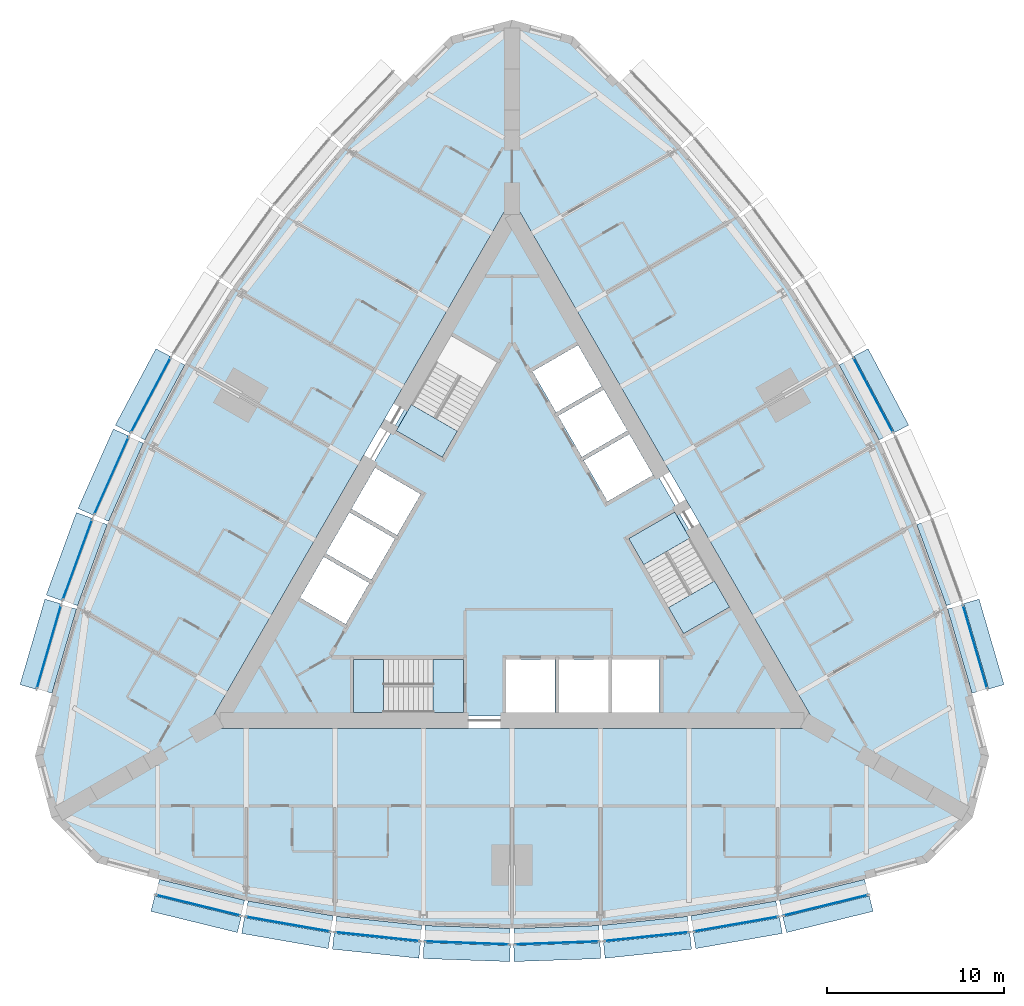
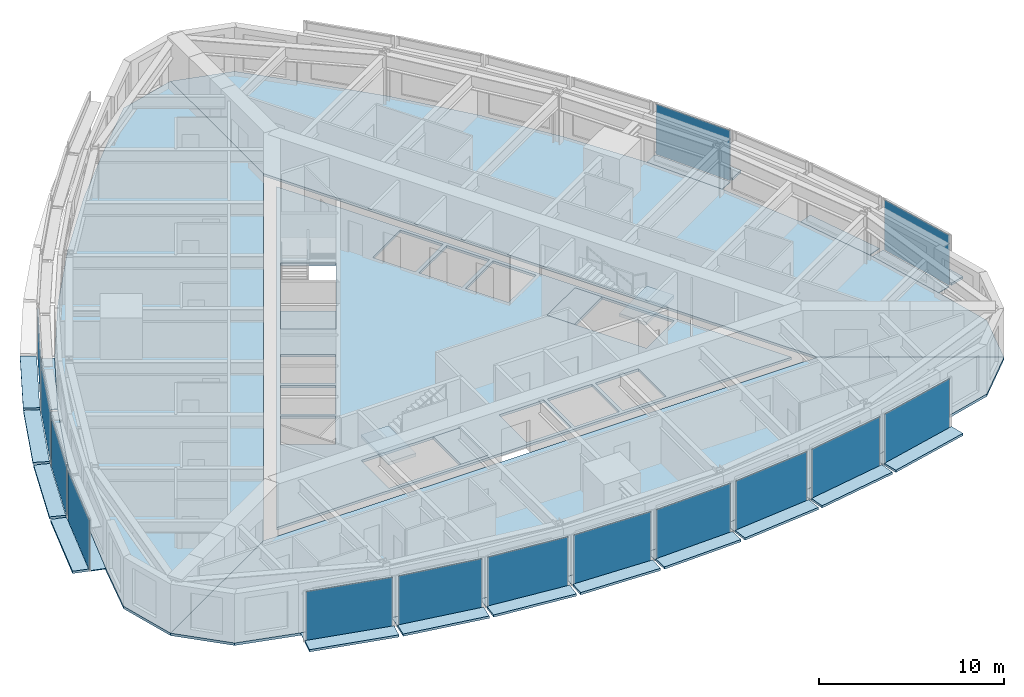
# One storey, part 6 of 14: 43 plates, 9 slabs, 17 elements without a shape of their own.
"""IFC4 building model written with IfcOpenShell, lengths in metres."""

from ifc_helpers import new_model, si_unit, direction, frame, origin, origin_2d, place, context, subcontext, project, spatial, polyline, rectangle, outline, extrude, material, layer, layer_set, type_object, element, aggregate, save


model = new_model("IFC4")

# Units and contexts
model_context = context("Model", 3, precision=1e-05, world=origin(), true_north=direction((0.0, 1.0)))
body_context = subcontext(model_context, "Body", "Model", "MODEL_VIEW")
ifc_project = project(units=[si_unit("LENGTHUNIT", "METRE"), si_unit("AREAUNIT", "SQUARE_METRE"), si_unit("VOLUMEUNIT", "CUBIC_METRE"), si_unit("PLANEANGLEUNIT", "RADIAN"), si_unit("MASSUNIT", "GRAM", prefix="KILO")], contexts=[model_context])

# Site, building, storey
site_placement = place(None, origin())
site = spatial("IfcSite", under=ifc_project, at=site_placement, CompositionType="ELEMENT")
building_placement = place(site_placement, origin())
building = spatial("IfcBuilding", under=site, at=building_placement, Name="Trikona Tower", CompositionType="ELEMENT")
storey_placement = place(building_placement, frame((0.0, 0.0, 179.300048828125)))
storey = spatial("IfcBuildingStorey", under=building, at=storey_placement, Name="L48", CompositionType="ELEMENT", Elevation=179.300048828125)

# Plates
ifc_material_1 = material(Name="Aluminium bar grating", Category="aluminium")
ifc_layer_1 = layer(ifc_material_1, 0.050048828125)
ifc_layer_set_1 = layer_set([ifc_layer_1], Name="Cavity catwalk grating")
plate_type_1 = type_object("IfcPlateType", Name="Cavity catwalk grating", PredefinedType="USERDEFINED", material=ifc_layer_set_1)
plate_1_placement = place(storey_placement, frame((-17.598876953125, -19.49072265625, -0.05029296875), z_axis=(0.0, 0.0, 1.0), x_axis=(0.971274411564, -0.237962218516, 0.0)))
element("IfcPlate", 1, at=plate_1_placement, inside=storey, type_object=plate_type_1, Name="Cavity catwalk L48-00", ObjectType="CATWALK GRATING", PredefinedType="USERDEFINED", context=body_context, shape_type="SweptSolid", body=[
    extrude(rectangle(XDim=4.947998046875, YDim=0.830078125, at=origin_2d()), origin(), (0.0, 0.0, 1.0), 0.050048828125),
])
plate_2_placement = place(storey_placement, frame((-12.571533203125, -20.54638671875, -0.05029296875), z_axis=(0.0, 0.0, 1.0), x_axis=(0.985030604067, -0.172379549401, 0.0)))
element("IfcPlate", 2, at=plate_2_placement, inside=storey, type_object=plate_type_1, Name="Cavity catwalk L48-01", ObjectType="CATWALK GRATING", PredefinedType="USERDEFINED", context=body_context, shape_type="SweptSolid", body=[
    extrude(rectangle(XDim=4.8759765625, YDim=0.830078125, at=origin_2d()), origin(), (0.0, 0.0, 1.0), 0.050048828125),
])
plate_3_placement = place(storey_placement, frame((-7.543212890625, -21.25048828125, -0.05029296875), z_axis=(0.0, 0.0, 1.0), x_axis=(0.994532653854, -0.104426052392, 0.0)))
element("IfcPlate", 3, at=plate_3_placement, inside=storey, type_object=plate_type_1, Name="Cavity catwalk L48-02", ObjectType="CATWALK GRATING", PredefinedType="USERDEFINED", context=body_context, shape_type="SweptSolid", body=[
    extrude(rectangle(XDim=4.827392578125, YDim=0.830078125, at=origin_2d()), origin(), (0.0, 0.0, 1.0), 0.050048828125),
])
for number, where, z_axis, x_axis, name in (
    (4, (-2.514404296875, -21.602294921875, -0.05029296875), (0.0, 0.0, 1.0), (0.999388082937, -0.034977988567, 0.0), "Cavity catwalk L48-03"),
    (5, (2.514404296875, -21.602294921875, -0.05029296875), (0.0, 0.0, 1.0), (0.999388082937, 0.034977988567, 0.0), "Cavity catwalk L48-04"),
):
    element("IfcPlate", number, at=place(storey_placement, frame(where, z_axis=z_axis, x_axis=x_axis)), inside=storey, type_object=plate_type_1, Name=name, ObjectType="CATWALK GRATING", PredefinedType="USERDEFINED", context=body_context, shape_type="SweptSolid", body=[
        extrude(rectangle(XDim=4.802978515625, YDim=0.830078125, at=origin_2d()), origin(), (0.0, 0.0, 1.0), 0.050048828125),
    ])
plate_4_placement = place(storey_placement, frame((7.543212890625, -21.25048828125, -0.05029296875), z_axis=(0.0, 0.0, 1.0), x_axis=(0.994532653854, 0.104426052392, 0.0)))
element("IfcPlate", 6, at=plate_4_placement, inside=storey, type_object=plate_type_1, Name="Cavity catwalk L48-05", ObjectType="CATWALK GRATING", PredefinedType="USERDEFINED", context=body_context, shape_type="SweptSolid", body=[
    extrude(rectangle(XDim=4.827392578125, YDim=0.830078125, at=origin_2d()), origin(), (0.0, 0.0, 1.0), 0.050048828125),
])
plate_5_placement = place(storey_placement, frame((12.571533203125, -20.54638671875, -0.05029296875), z_axis=(0.0, 0.0, 1.0), x_axis=(0.985030604067, 0.172379549401, 0.0)))
element("IfcPlate", 7, at=plate_5_placement, inside=storey, type_object=plate_type_1, Name="Cavity catwalk L48-06", ObjectType="CATWALK GRATING", PredefinedType="USERDEFINED", context=body_context, shape_type="SweptSolid", body=[
    extrude(rectangle(XDim=4.8759765625, YDim=0.830078125, at=origin_2d()), origin(), (0.0, 0.0, 1.0), 0.050048828125),
])
plate_6_placement = place(storey_placement, frame((17.598876953125, -19.49072265625, -0.05029296875), z_axis=(0.0, 0.0, 1.0), x_axis=(0.971274411564, 0.237962218516, 0.0)))
element("IfcPlate", 8, at=plate_6_placement, inside=storey, type_object=plate_type_1, Name="Cavity catwalk L48-07", ObjectType="CATWALK GRATING", PredefinedType="USERDEFINED", context=body_context, shape_type="SweptSolid", body=[
    extrude(rectangle(XDim=4.947998046875, YDim=0.830078125, at=origin_2d()), origin(), (0.0, 0.0, 1.0), 0.050048828125),
])
plate_7_placement = place(storey_placement, frame((25.678955078125, -5.49560546875, -0.05029296875), z_axis=(0.0, 0.0, 1.0), x_axis=(-0.279554203664, 0.960129911634, 0.0)))
element("IfcPlate", 9, at=plate_7_placement, inside=storey, type_object=plate_type_1, Name="Cavity catwalk L48-12", ObjectType="CATWALK GRATING", PredefinedType="USERDEFINED", context=body_context, shape_type="SweptSolid", body=[
    extrude(rectangle(XDim=4.94775390625, YDim=0.830078125, at=origin_2d()), origin(), (0.0, 0.0, 1.0), 0.050048828125),
])
plate_8_placement = place(storey_placement, frame((24.07958984375, -0.614013671875, -0.05029296875), z_axis=(0.0, 0.0, 1.0), x_axis=(-0.343220397324, 0.939254895575, 0.0)))
element("IfcPlate", 10, at=plate_8_placement, inside=storey, type_object=plate_type_1, Name="Cavity catwalk L48-13", ObjectType="CATWALK GRATING", PredefinedType="USERDEFINED", context=body_context, shape_type="SweptSolid", body=[
    extrude(rectangle(XDim=4.8759765625, YDim=0.830078125, at=origin_2d()), origin(), (0.0, 0.0, 1.0), 0.050048828125),
])
for number, where, z_axis, x_axis, name in (
    (11, (19.965576171875, 8.62353515625, -0.05029296875), (0.0, 0.0, 1.0), (-0.469397591494, 0.882986920118, 0.0), "Cavity catwalk L48-15"),
    (12, (-19.965576171875, 8.62353515625, -0.05029296875), (0.0, 0.0, 1.0), (-0.469397591494, -0.882986920118, 0.0), "Cavity catwalk L48-28"),
):
    element("IfcPlate", number, at=place(storey_placement, frame(where, z_axis=z_axis, x_axis=x_axis)), inside=storey, type_object=plate_type_1, Name=name, ObjectType="CATWALK GRATING", PredefinedType="USERDEFINED", context=body_context, shape_type="SweptSolid", body=[
        extrude(rectangle(XDim=4.802978515625, YDim=0.830078125, at=origin_2d()), origin(), (0.0, 0.0, 1.0), 0.050048828125),
    ])
plate_9_placement = place(storey_placement, frame((-22.175048828125, 4.092529296875, -0.05029296875), z_axis=(0.0, 0.0, 1.0), x_axis=(-0.406843467615, -0.913497888809, 0.0)))
element("IfcPlate", 13, at=plate_9_placement, inside=storey, type_object=plate_type_1, Name="Cavity catwalk L48-29", ObjectType="CATWALK GRATING", PredefinedType="USERDEFINED", context=body_context, shape_type="SweptSolid", body=[
    extrude(rectangle(XDim=4.827392578125, YDim=0.830078125, at=origin_2d()), origin(), (0.0, 0.0, 1.0), 0.050048828125),
])
plate_10_placement = place(storey_placement, frame((-24.07958984375, -0.614013671875, -0.05029296875), z_axis=(0.0, 0.0, 1.0), x_axis=(-0.343220397324, -0.939254895575, 0.0)))
element("IfcPlate", 14, at=plate_10_placement, inside=storey, type_object=plate_type_1, Name="Cavity catwalk L48-30", ObjectType="CATWALK GRATING", PredefinedType="USERDEFINED", context=body_context, shape_type="SweptSolid", body=[
    extrude(rectangle(XDim=4.8759765625, YDim=0.830078125, at=origin_2d()), origin(), (0.0, 0.0, 1.0), 0.050048828125),
])
plate_11_placement = place(storey_placement, frame((-25.678955078125, -5.49560546875, -0.05029296875), z_axis=(0.0, 0.0, 1.0), x_axis=(-0.279554203664, -0.960129911634, 0.0)))
element("IfcPlate", 15, at=plate_11_placement, inside=storey, type_object=plate_type_1, Name="Cavity catwalk L48-31", ObjectType="CATWALK GRATING", PredefinedType="USERDEFINED", context=body_context, shape_type="SweptSolid", body=[
    extrude(rectangle(XDim=4.94775390625, YDim=0.830078125, at=origin_2d()), origin(), (0.0, 0.0, 1.0), 0.050048828125),
])

# Slabs
ifc_material_2 = material(Name="Concrete f'c 5000 psi lightweight on composite steel deck", Category="concrete")
ifc_layer_2 = layer(ifc_material_2, 0.1650390625)
ifc_layer_set_2 = layer_set([ifc_layer_2], Name="Composite floor slab 165")
slab_type_1 = type_object("IfcSlabType", Name="Composite floor slab 165", PredefinedType="FLOOR", material=ifc_layer_set_2)
slab_1_placement = place(storey_placement, frame((0.0, 0.0, -0.1650390625)))
element("IfcSlab", 16, at=slab_1_placement, inside=storey, type_object=slab_type_1, Name="Floor slab L48 core", PredefinedType="FLOOR", context=body_context, shape_type="SweptSolid", body=[
    extrude(outline(polyline([(-16.06689453125, -9.2763671875), (16.06689453125, -9.2763671875), (0.0, 18.552490234375), (-16.06689453125, -9.2763671875)]), holes=[polyline([(12.285400390625, -3.126220703125), (9.185302734375, 2.2431640625), (6.587158203125, 0.7431640625), (9.687255859375, -4.626220703125), (12.285400390625, -3.126220703125)]), polyline([(8.340087890625, -9.06640625), (8.340087890625, -6.086181640625), (5.659912109375, -6.086181640625), (5.659912109375, -9.06640625), (8.340087890625, -9.06640625)]), polyline([(5.390869140625, 2.835205078125), (7.9716796875, 4.3251953125), (6.631591796875, 6.646240234375), (4.05078125, 5.15625), (5.390869140625, 2.835205078125)]), polyline([(2.600830078125, 7.667724609375), (3.94091796875, 5.3466796875), (6.521484375, 6.8369140625), (5.181640625, 9.15771484375), (2.600830078125, 7.667724609375)]), polyline([(5.43994140625, -6.086181640625), (2.659912109375, -6.086181640625), (2.659912109375, -9.06640625), (5.43994140625, -9.06640625), (5.43994140625, -6.086181640625)]), polyline([(3.731689453125, 11.669189453125), (1.15087890625, 10.17919921875), (2.490966796875, 7.858154296875), (5.071533203125, 9.34814453125), (3.731689453125, 11.669189453125)]), polyline([(-0.340087890625, -6.086181640625), (-0.340087890625, -9.06640625), (2.43994140625, -9.06640625), (2.43994140625, -6.086181640625), (-0.340087890625, -6.086181640625)]), polyline([(-3.435302734375, 12.202392578125), (-6.535400390625, 6.8330078125), (-3.937255859375, 5.3330078125), (-0.837158203125, 10.702392578125), (-3.435302734375, 12.202392578125)]), polyline([(-8.949951171875, -9.076416015625), (-2.75, -9.076416015625), (-2.75, -6.076416015625), (-8.949951171875, -6.076416015625), (-8.949951171875, -9.076416015625)]), polyline([(-5.15087890625, 3.2509765625), (-7.731689453125, 4.740966796875), (-9.071533203125, 2.419921875), (-6.490966796875, 0.929931640625), (-5.15087890625, 3.2509765625)]), polyline([(-7.94091796875, -1.581298828125), (-6.600830078125, 0.739501953125), (-9.181640625, 2.2294921875), (-10.521484375, -0.09130859375), (-7.94091796875, -1.581298828125)]), polyline([(-11.9716796875, -2.602783203125), (-9.390869140625, -4.093017578125), (-8.05078125, -1.77197265625), (-10.631591796875, -0.281982421875), (-11.9716796875, -2.602783203125)])]), origin(), (0.0, 0.0, 1.0), 0.1650390625),
])
slab_2_placement = place(storey_placement, frame((0.0, 0.0, -0.1650390625)))
element("IfcSlab", 17, at=slab_2_placement, inside=storey, type_object=slab_type_1, Name="Floor slab L48 south", PredefinedType="FLOOR", context=body_context, shape_type="SweptSolid", body=[
    extrude(outline(polyline([(23.464111328125, -17.547119140625), (26.0, -15.010986328125), (17.279296875, -9.976318359375), (-17.279296875, -9.976318359375), (-26.0, -15.010986328125), (-23.464111328125, -17.547119140625), (-20.0, -18.47509765625), (-15.0, -19.7001953125), (-10.0, -20.5751953125), (-5.0, -21.10009765625), (0.0, -21.275146484375), (5.0, -21.10009765625), (10.0, -20.5751953125), (15.0, -19.7001953125), (20.0, -18.47509765625), (23.464111328125, -17.547119140625)])), origin(), (0.0, 0.0, 1.0), 0.1650390625),
])
slab_3_placement = place(storey_placement, frame((0.0, 0.0, -0.1650390625)))
element("IfcSlab", 18, at=slab_3_placement, inside=storey, type_object=slab_type_1, Name="Floor slab L48 north-east", PredefinedType="FLOOR", context=body_context, shape_type="SweptSolid", body=[
    extrude(outline(polyline([(3.464111328125, 29.093994140625), (0.0, 30.022216796875), (0.0, 19.95263671875), (17.279296875, -9.976318359375), (26.0, -15.010986328125), (26.92822265625, -11.547119140625), (26.0, -8.0830078125), (24.560791015625, -3.140380859375), (22.818603515625, 1.62744140625), (20.773193359375, 6.219970703125), (18.4248046875, 10.6376953125), (15.773193359375, 14.880126953125), (12.818603515625, 18.947998046875), (9.560791015625, 22.840576171875), (6.0, 26.55810546875), (3.464111328125, 29.093994140625)])), origin(), (0.0, 0.0, 1.0), 0.1650390625),
])
slab_4_placement = place(storey_placement, frame((0.0, 0.0, -0.1650390625)))
element("IfcSlab", 19, at=slab_4_placement, inside=storey, type_object=slab_type_1, Name="Floor slab L48 north-west", PredefinedType="FLOOR", context=body_context, shape_type="SweptSolid", body=[
    extrude(outline(polyline([(0.0, 19.95263671875), (0.0, 30.022216796875), (-3.464111328125, 29.093994140625), (-6.0, 26.55810546875), (-9.560791015625, 22.840576171875), (-12.818603515625, 18.947998046875), (-15.773193359375, 14.880126953125), (-18.4248046875, 10.6376953125), (-20.773193359375, 6.219970703125), (-22.818603515625, 1.62744140625), (-24.560791015625, -3.140380859375), (-26.0, -8.0830078125), (-26.92822265625, -11.547119140625), (-26.0, -15.010986328125), (-17.279296875, -9.976318359375), (0.0, 19.95263671875)])), origin(), (0.0, 0.0, 1.0), 0.1650390625),
])

# Curtain wall, plate
ifc_material_3 = material(Name="Aluminium curtain wall system", Category="aluminium")
curtain_wall_type = type_object("IfcCurtainWallType", Name="Curtain wall DS2", PredefinedType="NOTDEFINED", material=ifc_material_3)
curtain_wall_1_placement = place(storey_placement, origin())
curtain_wall_1 = element("IfcCurtainWall", 20, at=curtain_wall_1_placement, inside=storey, type_object=curtain_wall_type, Name="Curtain wall DS2 L48", PredefinedType="NOTDEFINED")
ifc_material_4 = material(Name="Laminated clear glass", Category="glass")
ifc_layer_3 = layer(ifc_material_4, 0.028076171875)
ifc_layer_set_3 = layer_set([ifc_layer_3], Name="Glass panel DS2")
plate_type_2 = type_object("IfcPlateType", Name="Glass panel DS2", PredefinedType="CURTAIN_PANEL", material=ifc_layer_set_3)
plate_12_placement = place(storey_placement, frame((-17.714111328125, -19.9619140625, 0.0), z_axis=(0.0, 0.0, 1.0), x_axis=(0.971272455026, -0.237970204243, 0.0)))
plate_12 = element("IfcPlate", 21, at=plate_12_placement, type_object=plate_type_2, Name="CW-DS2 panel 1.1", PredefinedType="CURTAIN_PANEL", context=body_context, shape_type="SweptSolid", body=[
    extrude(rectangle(XDim=4.867919921875, YDim=0.028076171875, at=origin_2d()), origin(), (0.0, 0.0, 1.0), 3.320068359375),
])
aggregate(curtain_wall_1, [plate_12])

curtain_wall_2_placement = place(storey_placement, origin())
curtain_wall_2 = element("IfcCurtainWall", 22, at=curtain_wall_2_placement, inside=storey, type_object=curtain_wall_type, Name="Curtain wall DS2 L48", PredefinedType="NOTDEFINED")
plate_13_placement = place(storey_placement, frame((-12.655029296875, -21.024169921875, 0.0), z_axis=(0.0, 0.0, 1.0), x_axis=(0.985030981074, -0.17237739505, 0.0)))
plate_13 = element("IfcPlate", 23, at=plate_13_placement, type_object=plate_type_2, Name="CW-DS2 panel 1.1", PredefinedType="CURTAIN_PANEL", context=body_context, shape_type="SweptSolid", body=[
    extrude(rectangle(XDim=4.7958984375, YDim=0.028076171875, at=origin_2d()), origin(), (0.0, 0.0, 1.0), 3.320068359375),
])
aggregate(curtain_wall_2, [plate_13])

curtain_wall_3_placement = place(storey_placement, origin())
curtain_wall_3 = element("IfcCurtainWall", 24, at=curtain_wall_3_placement, inside=storey, type_object=curtain_wall_type, Name="Curtain wall DS2 L48", PredefinedType="NOTDEFINED")
plate_14_placement = place(storey_placement, frame((-7.593994140625, -21.732666015625, 0.0), z_axis=(0.0, 0.0, 1.0), x_axis=(0.994531883654, -0.104433387357, 0.0)))
plate_14 = element("IfcPlate", 25, at=plate_14_placement, type_object=plate_type_2, Name="CW-DS2 panel 1.1", PredefinedType="CURTAIN_PANEL", context=body_context, shape_type="SweptSolid", body=[
    extrude(rectangle(XDim=4.747314453125, YDim=0.028076171875, at=origin_2d()), origin(), (0.0, 0.0, 1.0), 3.320068359375),
])
aggregate(curtain_wall_3, [plate_14])

curtain_wall_4_placement = place(storey_placement, origin())
curtain_wall_4 = element("IfcCurtainWall", 26, at=curtain_wall_4_placement, inside=storey, type_object=curtain_wall_type, Name="Curtain wall DS2 L48", PredefinedType="NOTDEFINED")
plate_15_placement = place(storey_placement, frame((-2.531494140625, -22.087158203125, 0.0), z_axis=(0.0, 0.0, 1.0), x_axis=(0.99938737114, -0.034998320052, 0.0)))
plate_15 = element("IfcPlate", 27, at=plate_15_placement, type_object=plate_type_2, Name="CW-DS2 panel 1.1", PredefinedType="CURTAIN_PANEL", context=body_context, shape_type="SweptSolid", body=[
    extrude(rectangle(XDim=4.72314453125, YDim=0.028076171875, at=origin_2d()), origin(), (0.0, 0.0, 1.0), 3.320068359375),
])
aggregate(curtain_wall_4, [plate_15])

curtain_wall_5_placement = place(storey_placement, origin())
curtain_wall_5 = element("IfcCurtainWall", 28, at=curtain_wall_5_placement, inside=storey, type_object=curtain_wall_type, Name="Curtain wall DS2 L48", PredefinedType="NOTDEFINED")
plate_16_placement = place(storey_placement, frame((2.531494140625, -22.087158203125, 0.0), z_axis=(0.0, 0.0, 1.0), x_axis=(0.99938737114, 0.034998320052, 0.0)))
plate_16 = element("IfcPlate", 29, at=plate_16_placement, type_object=plate_type_2, Name="CW-DS2 panel 1.1", PredefinedType="CURTAIN_PANEL", context=body_context, shape_type="SweptSolid", body=[
    extrude(rectangle(XDim=4.72314453125, YDim=0.028076171875, at=origin_2d()), origin(), (0.0, 0.0, 1.0), 3.320068359375),
])
aggregate(curtain_wall_5, [plate_16])

curtain_wall_6_placement = place(storey_placement, origin())
curtain_wall_6 = element("IfcCurtainWall", 30, at=curtain_wall_6_placement, inside=storey, type_object=curtain_wall_type, Name="Curtain wall DS2 L48", PredefinedType="NOTDEFINED")
plate_17_placement = place(storey_placement, frame((7.593994140625, -21.732666015625, 0.0), z_axis=(0.0, 0.0, 1.0), x_axis=(0.994531883654, 0.104433387357, 0.0)))
plate_17 = element("IfcPlate", 31, at=plate_17_placement, type_object=plate_type_2, Name="CW-DS2 panel 1.1", PredefinedType="CURTAIN_PANEL", context=body_context, shape_type="SweptSolid", body=[
    extrude(rectangle(XDim=4.747314453125, YDim=0.028076171875, at=origin_2d()), origin(), (0.0, 0.0, 1.0), 3.320068359375),
])
aggregate(curtain_wall_6, [plate_17])

curtain_wall_7_placement = place(storey_placement, origin())
curtain_wall_7 = element("IfcCurtainWall", 32, at=curtain_wall_7_placement, inside=storey, type_object=curtain_wall_type, Name="Curtain wall DS2 L48", PredefinedType="NOTDEFINED")
plate_18_placement = place(storey_placement, frame((12.655029296875, -21.024169921875, 0.0), z_axis=(0.0, 0.0, 1.0), x_axis=(0.985030981074, 0.17237739505, 0.0)))
plate_18 = element("IfcPlate", 33, at=plate_18_placement, type_object=plate_type_2, Name="CW-DS2 panel 1.1", PredefinedType="CURTAIN_PANEL", context=body_context, shape_type="SweptSolid", body=[
    extrude(rectangle(XDim=4.7958984375, YDim=0.028076171875, at=origin_2d()), origin(), (0.0, 0.0, 1.0), 3.320068359375),
])
aggregate(curtain_wall_7, [plate_18])

curtain_wall_8_placement = place(storey_placement, origin())
curtain_wall_8 = element("IfcCurtainWall", 34, at=curtain_wall_8_placement, inside=storey, type_object=curtain_wall_type, Name="Curtain wall DS2 L48", PredefinedType="NOTDEFINED")
plate_19_placement = place(storey_placement, frame((17.714111328125, -19.9619140625, 0.0), z_axis=(0.0, 0.0, 1.0), x_axis=(0.971272455026, 0.237970204243, 0.0)))
plate_19 = element("IfcPlate", 35, at=plate_19_placement, type_object=plate_type_2, Name="CW-DS2 panel 1.1", PredefinedType="CURTAIN_PANEL", context=body_context, shape_type="SweptSolid", body=[
    extrude(rectangle(XDim=4.867919921875, YDim=0.028076171875, at=origin_2d()), origin(), (0.0, 0.0, 1.0), 3.320068359375),
])
aggregate(curtain_wall_8, [plate_19])

curtain_wall_9_placement = place(storey_placement, origin())
curtain_wall_9 = element("IfcCurtainWall", 36, at=curtain_wall_9_placement, inside=storey, type_object=curtain_wall_type, Name="Curtain wall DS2 L48", PredefinedType="NOTDEFINED")
plate_20_placement = place(storey_placement, frame((26.14453125, -5.360107421875, 0.0), z_axis=(0.0, 0.0, 1.0), x_axis=(-0.279543247757, 0.96013310152, 0.0)))
plate_20 = element("IfcPlate", 37, at=plate_20_placement, type_object=plate_type_2, Name="CW-DS2 panel 1.1", PredefinedType="CURTAIN_PANEL", context=body_context, shape_type="SweptSolid", body=[
    extrude(rectangle(XDim=4.867919921875, YDim=0.028076171875, at=origin_2d()), origin(), (0.0, 0.0, 1.0), 3.320068359375),
])
aggregate(curtain_wall_9, [plate_20])

curtain_wall_10_placement = place(storey_placement, origin())
curtain_wall_10 = element("IfcCurtainWall", 38, at=curtain_wall_10_placement, inside=storey, type_object=curtain_wall_type, Name="Curtain wall DS2 L48", PredefinedType="NOTDEFINED")
plate_21_placement = place(storey_placement, frame((20.393798828125, 8.851318359375, 0.0), z_axis=(0.0, 0.0, 1.0), x_axis=(-0.469380308937, 0.882996107343, 0.0)))
plate_21 = element("IfcPlate", 39, at=plate_21_placement, type_object=plate_type_2, Name="CW-DS2 panel 1.1", PredefinedType="CURTAIN_PANEL", context=body_context, shape_type="SweptSolid", body=[
    extrude(rectangle(XDim=4.72314453125, YDim=0.028076171875, at=origin_2d()), origin(), (0.0, 0.0, 1.0), 3.320068359375),
])
aggregate(curtain_wall_10, [plate_21])

curtain_wall_11_placement = place(storey_placement, origin())
curtain_wall_11 = element("IfcCurtainWall", 40, at=curtain_wall_11_placement, inside=storey, type_object=curtain_wall_type, Name="Curtain wall DS2 L48", PredefinedType="NOTDEFINED")
plate_22_placement = place(storey_placement, frame((-20.393798828125, 8.851318359375, 0.0), z_axis=(0.0, 0.0, 1.0), x_axis=(-0.469380308937, -0.882996107343, 0.0)))
plate_22 = element("IfcPlate", 41, at=plate_22_placement, type_object=plate_type_2, Name="CW-DS2 panel 1.1", PredefinedType="CURTAIN_PANEL", context=body_context, shape_type="SweptSolid", body=[
    extrude(rectangle(XDim=4.72314453125, YDim=0.028076171875, at=origin_2d()), origin(), (0.0, 0.0, 1.0), 3.320068359375),
])
aggregate(curtain_wall_11, [plate_22])

curtain_wall_12_placement = place(storey_placement, origin())
curtain_wall_12 = element("IfcCurtainWall", 42, at=curtain_wall_12_placement, inside=storey, type_object=curtain_wall_type, Name="Curtain wall DS2 L48", PredefinedType="NOTDEFINED")
plate_23_placement = place(storey_placement, frame((-22.6181640625, 4.289794921875, 0.0), z_axis=(0.0, 0.0, 1.0), x_axis=(-0.406836013132, -0.913501208767, 0.0)))
plate_23 = element("IfcPlate", 43, at=plate_23_placement, type_object=plate_type_2, Name="CW-DS2 panel 1.1", PredefinedType="CURTAIN_PANEL", context=body_context, shape_type="SweptSolid", body=[
    extrude(rectangle(XDim=4.747314453125, YDim=0.028076171875, at=origin_2d()), origin(), (0.0, 0.0, 1.0), 3.320068359375),
])
aggregate(curtain_wall_12, [plate_23])

curtain_wall_13_placement = place(storey_placement, origin())
curtain_wall_13 = element("IfcCurtainWall", 44, at=curtain_wall_13_placement, inside=storey, type_object=curtain_wall_type, Name="Curtain wall DS2 L48", PredefinedType="NOTDEFINED")
plate_24_placement = place(storey_placement, frame((-24.53515625, -0.447509765625, 0.0), z_axis=(0.0, 0.0, 1.0), x_axis=(-0.343223420143, -0.939253790978, 0.0)))
plate_24 = element("IfcPlate", 45, at=plate_24_placement, type_object=plate_type_2, Name="CW-DS2 panel 1.1", PredefinedType="CURTAIN_PANEL", context=body_context, shape_type="SweptSolid", body=[
    extrude(rectangle(XDim=4.7958984375, YDim=0.028076171875, at=origin_2d()), origin(), (0.0, 0.0, 1.0), 3.320068359375),
])
aggregate(curtain_wall_13, [plate_24])

curtain_wall_14_placement = place(storey_placement, origin())
curtain_wall_14 = element("IfcCurtainWall", 46, at=curtain_wall_14_placement, inside=storey, type_object=curtain_wall_type, Name="Curtain wall DS2 L48", PredefinedType="NOTDEFINED")
plate_25_placement = place(storey_placement, frame((-26.14453125, -5.360107421875, 0.0), z_axis=(0.0, 0.0, 1.0), x_axis=(-0.279543247757, -0.96013310152, 0.0)))
plate_25 = element("IfcPlate", 47, at=plate_25_placement, type_object=plate_type_2, Name="CW-DS2 panel 1.1", PredefinedType="CURTAIN_PANEL", context=body_context, shape_type="SweptSolid", body=[
    extrude(rectangle(XDim=4.867919921875, YDim=0.028076171875, at=origin_2d()), origin(), (0.0, 0.0, 1.0), 3.320068359375),
])
aggregate(curtain_wall_14, [plate_25])

# Plates
ifc_material_5 = material(Name="Aluminium plate fin, pale anodised, on stainless steel outriggers", Category="steel")
ifc_layer_4 = layer(ifc_material_5, 0.14990234375)
ifc_layer_set_4 = layer_set([ifc_layer_4], Name="Outer skin fin 900")
plate_type_3 = type_object("IfcPlateType", Name="Outer skin fin 900", PredefinedType="USERDEFINED", material=ifc_layer_set_4)
plate_26_placement = place(storey_placement, frame((-17.837890625, -20.466796875, 0.0), z_axis=(0.0, 0.0, 1.0), x_axis=(0.971274411564, -0.237962218516, 0.0)))
element("IfcPlate", 48, at=plate_26_placement, inside=storey, type_object=plate_type_3, Name="Outer skin fin L48-00", ObjectType="FIN", PredefinedType="USERDEFINED", context=body_context, shape_type="SweptSolid", body=[
    extrude(rectangle(XDim=5.02783203125, YDim=0.89990234375, at=origin_2d()), origin(), (0.0, 0.0, 1.0), 0.14990234375),
])
plate_27_placement = place(storey_placement, frame((-12.744873046875, -21.536376953125, 0.0), z_axis=(0.0, 0.0, 1.0), x_axis=(0.985030604067, -0.172379549401, 0.0)))
element("IfcPlate", 49, at=plate_27_placement, inside=storey, type_object=plate_type_3, Name="Outer skin fin L48-01", ObjectType="FIN", PredefinedType="USERDEFINED", context=body_context, shape_type="SweptSolid", body=[
    extrude(rectangle(XDim=4.9560546875, YDim=0.89990234375, at=origin_2d()), origin(), (0.0, 0.0, 1.0), 0.14990234375),
])
plate_28_placement = place(storey_placement, frame((-7.648193359375, -22.25, 0.0), z_axis=(0.0, 0.0, 1.0), x_axis=(0.994532653854, -0.104426052392, 0.0)))
element("IfcPlate", 50, at=plate_28_placement, inside=storey, type_object=plate_type_3, Name="Outer skin fin L48-02", ObjectType="FIN", PredefinedType="USERDEFINED", context=body_context, shape_type="SweptSolid", body=[
    extrude(rectangle(XDim=4.907470703125, YDim=0.89990234375, at=origin_2d()), origin(), (0.0, 0.0, 1.0), 0.14990234375),
])
for number, where, z_axis, x_axis, name in (
    (51, (-2.5498046875, -22.606689453125, 0.0), (0.0, 0.0, 1.0), (0.999388082937, -0.034977988567, 0.0), "Outer skin fin L48-03"),
    (52, (2.5498046875, -22.606689453125, 0.0), (0.0, 0.0, 1.0), (0.999388082937, 0.034977988567, 0.0), "Outer skin fin L48-04"),
):
    element("IfcPlate", number, at=place(storey_placement, frame(where, z_axis=z_axis, x_axis=x_axis)), inside=storey, type_object=plate_type_3, Name=name, ObjectType="FIN", PredefinedType="USERDEFINED", context=body_context, shape_type="SweptSolid", body=[
        extrude(rectangle(XDim=4.883056640625, YDim=0.89990234375, at=origin_2d()), origin(), (0.0, 0.0, 1.0), 0.14990234375),
    ])
plate_29_placement = place(storey_placement, frame((7.648193359375, -22.25, 0.0), z_axis=(0.0, 0.0, 1.0), x_axis=(0.994532653854, 0.104426052392, 0.0)))
element("IfcPlate", 53, at=plate_29_placement, inside=storey, type_object=plate_type_3, Name="Outer skin fin L48-05", ObjectType="FIN", PredefinedType="USERDEFINED", context=body_context, shape_type="SweptSolid", body=[
    extrude(rectangle(XDim=4.907470703125, YDim=0.89990234375, at=origin_2d()), origin(), (0.0, 0.0, 1.0), 0.14990234375),
])
plate_30_placement = place(storey_placement, frame((12.744873046875, -21.536376953125, 0.0), z_axis=(0.0, 0.0, 1.0), x_axis=(0.985030604067, 0.172379549401, 0.0)))
element("IfcPlate", 54, at=plate_30_placement, inside=storey, type_object=plate_type_3, Name="Outer skin fin L48-06", ObjectType="FIN", PredefinedType="USERDEFINED", context=body_context, shape_type="SweptSolid", body=[
    extrude(rectangle(XDim=4.9560546875, YDim=0.89990234375, at=origin_2d()), origin(), (0.0, 0.0, 1.0), 0.14990234375),
])
for number, where, z_axis, x_axis, name in (
    (55, (17.837890625, -20.466796875, 0.0), (0.0, 0.0, 1.0), (0.971274411564, 0.237962218516, 0.0), "Outer skin fin L48-07"),
    (56, (26.643798828125, -5.214599609375, 0.0), (0.0, 0.0, 1.0), (-0.279554203664, 0.960129911634, 0.0), "Outer skin fin L48-12"),
):
    element("IfcPlate", number, at=place(storey_placement, frame(where, z_axis=z_axis, x_axis=x_axis)), inside=storey, type_object=plate_type_3, Name=name, ObjectType="FIN", PredefinedType="USERDEFINED", context=body_context, shape_type="SweptSolid", body=[
        extrude(rectangle(XDim=5.02783203125, YDim=0.89990234375, at=origin_2d()), origin(), (0.0, 0.0, 1.0), 0.14990234375),
    ])
for number, where, z_axis, x_axis, name in (
    (57, (20.852783203125, 9.09521484375, 0.0), (0.0, 0.0, 1.0), (-0.469397591494, 0.882986920118, 0.0), "Outer skin fin L48-15"),
    (58, (-20.852783203125, 9.09521484375, 0.0), (0.0, 0.0, 1.0), (-0.469397591494, -0.882986920118, 0.0), "Outer skin fin L48-28"),
):
    element("IfcPlate", number, at=place(storey_placement, frame(where, z_axis=z_axis, x_axis=x_axis)), inside=storey, type_object=plate_type_3, Name=name, ObjectType="FIN", PredefinedType="USERDEFINED", context=body_context, shape_type="SweptSolid", body=[
        extrude(rectangle(XDim=4.883056640625, YDim=0.89990234375, at=origin_2d()), origin(), (0.0, 0.0, 1.0), 0.14990234375),
    ])
plate_31_placement = place(storey_placement, frame((-23.09326171875, 4.50146484375, 0.0), z_axis=(0.0, 0.0, 1.0), x_axis=(-0.406843467615, -0.913497888809, 0.0)))
element("IfcPlate", 59, at=plate_31_placement, inside=storey, type_object=plate_type_3, Name="Outer skin fin L48-29", ObjectType="FIN", PredefinedType="USERDEFINED", context=body_context, shape_type="SweptSolid", body=[
    extrude(rectangle(XDim=4.907470703125, YDim=0.89990234375, at=origin_2d()), origin(), (0.0, 0.0, 1.0), 0.14990234375),
])
plate_32_placement = place(storey_placement, frame((-25.0234375, -0.26904296875, 0.0), z_axis=(0.0, 0.0, 1.0), x_axis=(-0.343220397324, -0.939254895575, 0.0)))
element("IfcPlate", 60, at=plate_32_placement, inside=storey, type_object=plate_type_3, Name="Outer skin fin L48-30", ObjectType="FIN", PredefinedType="USERDEFINED", context=body_context, shape_type="SweptSolid", body=[
    extrude(rectangle(XDim=4.9560546875, YDim=0.89990234375, at=origin_2d()), origin(), (0.0, 0.0, 1.0), 0.14990234375),
])
plate_33_placement = place(storey_placement, frame((-26.643798828125, -5.214599609375, 0.0), z_axis=(0.0, 0.0, 1.0), x_axis=(-0.279554203664, -0.960129911634, 0.0)))
element("IfcPlate", 61, at=plate_33_placement, inside=storey, type_object=plate_type_3, Name="Outer skin fin L48-31", ObjectType="FIN", PredefinedType="USERDEFINED", context=body_context, shape_type="SweptSolid", body=[
    extrude(rectangle(XDim=5.02783203125, YDim=0.89990234375, at=origin_2d()), origin(), (0.0, 0.0, 1.0), 0.14990234375),
])

# Stair, slabs
ifc_material_6 = material(Name="Concrete f'c 5000 psi", Category="concrete")
stair_type = type_object("IfcStairType", Name="Core stair", PredefinedType="HALF_TURN_STAIR", material=ifc_material_6)
stair_1_placement = place(storey_placement, origin())
stair_1 = element("IfcStair", 62, at=stair_1_placement, inside=storey, type_object=stair_type, Name="Stair A L48", PredefinedType="HALF_TURN_STAIR")
ifc_material_7 = material(Name="Concrete f'c 5000 psi", Category="concrete")
ifc_layer_5 = layer(ifc_material_7, 0.199951171875)
ifc_layer_set_5 = layer_set([ifc_layer_5], Name="Stair landing 200")
slab_type_2 = type_object("IfcSlabType", Name="Stair landing 200", PredefinedType="LANDING", material=ifc_layer_set_5)
slab_5_placement = place(storey_placement, frame((0.0, 0.0, -0.199951171875)))
slab_5 = element("IfcSlab", 63, at=slab_5_placement, type_object=slab_type_2, Name="ST-A landing 1", PredefinedType="LANDING", context=body_context, shape_type="SweptSolid", body=[
    extrude(outline(polyline([(-4.452880859375, -6.076416015625), (-2.75, -6.076416015625), (-2.75, -9.076416015625), (-4.452880859375, -9.076416015625), (-4.452880859375, -6.076416015625)])), origin(), (0.0, 0.0, 1.0), 0.199951171875),
])
slab_6_placement = place(storey_placement, frame((0.0, 0.0, 1.5)))
slab_6 = element("IfcSlab", 64, at=slab_6_placement, type_object=slab_type_2, Name="ST-A landing 2", PredefinedType="LANDING", context=body_context, shape_type="SweptSolid", body=[
    extrude(outline(polyline([(-8.949951171875, -6.076416015625), (-7.2470703125, -6.076416015625), (-7.2470703125, -9.076416015625), (-8.949951171875, -9.076416015625), (-8.949951171875, -6.076416015625)])), origin(), (0.0, 0.0, 1.0), 0.199951171875),
])
aggregate(stair_1, [slab_5, slab_6])

stair_2_placement = place(storey_placement, origin())
stair_2 = element("IfcStair", 65, at=stair_2_placement, inside=storey, type_object=stair_type, Name="Stair B L48", PredefinedType="HALF_TURN_STAIR")
slab_7_placement = place(storey_placement, frame((0.0, 0.0, -0.199951171875)))
slab_7 = element("IfcSlab", 66, at=slab_7_placement, type_object=slab_type_2, Name="ST-B landing 1", PredefinedType="LANDING", context=body_context, shape_type="SweptSolid", body=[
    extrude(outline(polyline([(7.438720703125, -0.731689453125), (6.587158203125, 0.7431640625), (9.185302734375, 2.2431640625), (10.036865234375, 0.768310546875), (7.438720703125, -0.731689453125)])), origin(), (0.0, 0.0, 1.0), 0.199951171875),
])
slab_8_placement = place(storey_placement, frame((0.0, 0.0, 1.5)))
slab_8 = element("IfcSlab", 67, at=slab_8_placement, type_object=slab_type_2, Name="ST-B landing 2", PredefinedType="LANDING", context=body_context, shape_type="SweptSolid", body=[
    extrude(outline(polyline([(9.687255859375, -4.626220703125), (8.835693359375, -3.1513671875), (11.433837890625, -1.6513671875), (12.285400390625, -3.126220703125), (9.687255859375, -4.626220703125)])), origin(), (0.0, 0.0, 1.0), 0.199951171875),
])
aggregate(stair_2, [slab_7, slab_8])

# Stair, slab
stair_3_placement = place(storey_placement, origin())
stair_3 = element("IfcStair", 68, at=stair_3_placement, inside=storey, type_object=stair_type, Name="Stair C L48", PredefinedType="HALF_TURN_STAIR")
slab_9_placement = place(storey_placement, frame((0.0, 0.0, -0.199951171875)))
slab_9 = element("IfcSlab", 69, at=slab_9_placement, type_object=slab_type_2, Name="ST-C landing 1", PredefinedType="LANDING", context=body_context, shape_type="SweptSolid", body=[
    extrude(outline(polyline([(-3.085693359375, 6.807861328125), (-3.937255859375, 5.3330078125), (-6.535400390625, 6.8330078125), (-5.683837890625, 8.307861328125), (-3.085693359375, 6.807861328125)])), origin(), (0.0, 0.0, 1.0), 0.199951171875),
])
aggregate(stair_3, [slab_9])

save(model, "model.ifc")
